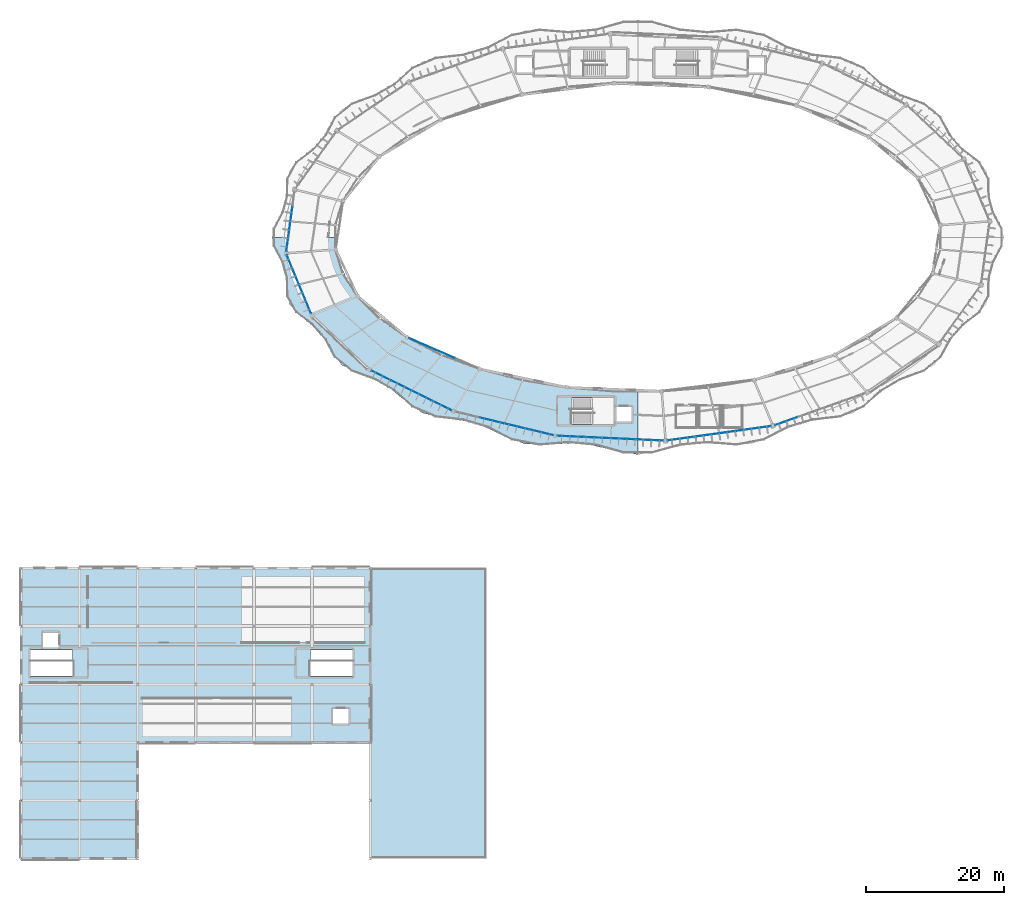
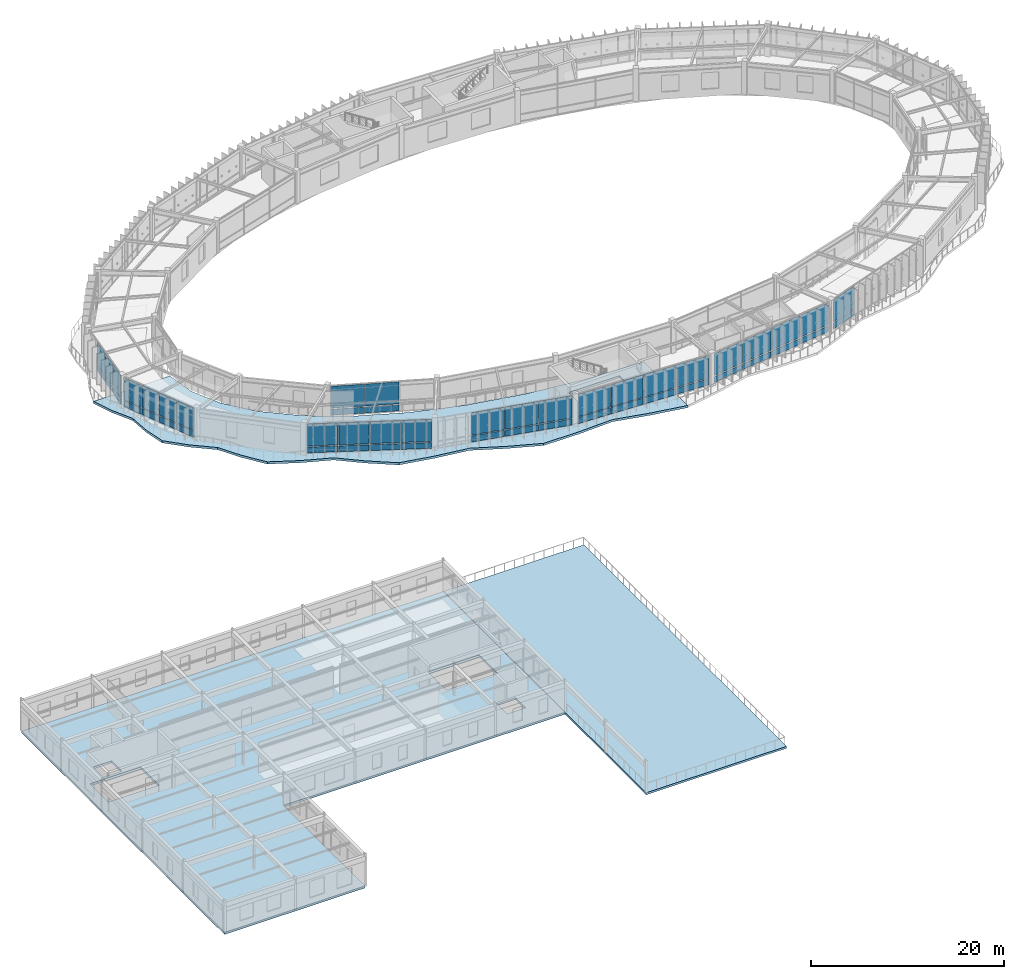
# One storey, part 62 of 83: 50 plates, 3 slabs, 8 elements without a shape of their own.
"""IFC4 building model written with IfcOpenShell, lengths in metres."""

from ifc_helpers import new_model, si_unit, direction, frame, origin, origin_2d, place, context, subcontext, project, spatial, polyline, rectangle, outline, extrude, material, layer, layer_set, type_object, element, aggregate, save


model = new_model("IFC4")

# Units and contexts
model_context = context("Model", 3, precision=1e-05, world=origin(), true_north=direction((0.0, 1.0)))
body_context = subcontext(model_context, "Body", "Model", "MODEL_VIEW")
ifc_project = project(units=[si_unit("LENGTHUNIT", "METRE"), si_unit("AREAUNIT", "SQUARE_METRE"), si_unit("VOLUMEUNIT", "CUBIC_METRE"), si_unit("PLANEANGLEUNIT", "RADIAN"), si_unit("MASSUNIT", "GRAM", prefix="KILO"), si_unit("THERMODYNAMICTEMPERATUREUNIT", "KELVIN"), si_unit("POWERUNIT", "WATT")], contexts=[model_context])

# Site, building, storey
site_placement = place(None, origin())
site = spatial("IfcSite", under=ifc_project, at=site_placement, CompositionType="ELEMENT")
building_placement = place(site_placement, origin())
building = spatial("IfcBuilding", under=site, at=building_placement, Name="Darbajah Civic Hall", CompositionType="ELEMENT")
storey_placement = place(building_placement, frame((0.0, 0.0, 18.0)))
storey = spatial("IfcBuildingStorey", under=building, at=storey_placement, Name="L04", CompositionType="ELEMENT", Elevation=18.0)

# Curtain wall, plates
ifc_material_1 = material(Name="Anodised Bronze Aluminium and Low-E Glazing", Category="aluminium")
curtain_wall_type_1 = type_object("IfcCurtainWallType", Name="Unitised Curtain Wall CW-61 15300x3900", PredefinedType="USERDEFINED", material=ifc_material_1)
curtain_wall_1_placement = place(storey_placement, origin())
curtain_wall_1 = element("IfcCurtainWall", 1, at=curtain_wall_1_placement, inside=storey, type_object=curtain_wall_type_1, Name="L04 unitised curtain wall CW-V1O-L04-14", ObjectType="UNITISED CURTAIN WALL", PredefinedType="USERDEFINED")
ifc_material_2 = material(Name="Low-E Solar Control Double Glazing", Category="glass")
ifc_layer_1 = layer(ifc_material_2, 0.02392578125, Name="Low-E Solar Control Double Glazing")
ifc_layer_set_1 = layer_set([ifc_layer_1], Name="Low-E Solar Control Double Glazing")
plate_type_1 = type_object("IfcPlateType", Name="Solar Double Glazing 24mm", PredefinedType="CURTAIN_PANEL", material=ifc_layer_set_1)
plate_1_placement = place(storey_placement, frame((79.408935546875, 61.014404296875, 0.10009765625), z_axis=(0.0, 0.0, 1.0), x_axis=(0.998962637241, -0.045537340693, 0.0)))
plate_1 = element("IfcPlate", 2, at=plate_1_placement, type_object=plate_type_1, Name="CW-V1O-L04-14 glazed panel 1.1", PredefinedType="CURTAIN_PANEL", context=body_context, shape_type="SweptSolid", body=[
    extrude(rectangle(XDim=3.764892578125, YDim=0.02392578125, at=origin_2d()), origin(), (0.0, 0.0, 1.0), 0.800048828125),
])
plate_2_placement = place(storey_placement, frame((79.408935546875, 61.014404296875, 1.0), z_axis=(0.0, 0.0, 1.0), x_axis=(0.998962637241, -0.045537340693, 0.0)))
plate_2 = element("IfcPlate", 3, at=plate_2_placement, type_object=plate_type_1, Name="CW-V1O-L04-14 glazed panel 1.2", PredefinedType="CURTAIN_PANEL", context=body_context, shape_type="SweptSolid", body=[
    extrude(rectangle(XDim=3.764892578125, YDim=0.02392578125, at=origin_2d()), origin(), (0.0, 0.0, 1.0), 2.820068359375),
])
plate_3_placement = place(storey_placement, frame((83.23486328125, 60.840087890625, 0.10009765625), z_axis=(0.0, 0.0, 1.0), x_axis=(0.998962637241, -0.045537340693, 0.0)))
plate_3 = element("IfcPlate", 4, at=plate_3_placement, type_object=plate_type_1, Name="CW-V1O-L04-14 glazed panel 2.1", PredefinedType="CURTAIN_PANEL", context=body_context, shape_type="SweptSolid", body=[
    extrude(rectangle(XDim=3.764892578125, YDim=0.02392578125, at=origin_2d()), origin(), (0.0, 0.0, 1.0), 0.800048828125),
])
plate_4_placement = place(storey_placement, frame((83.23486328125, 60.840087890625, 1.0), z_axis=(0.0, 0.0, 1.0), x_axis=(0.998962637241, -0.045537340693, 0.0)))
plate_4 = element("IfcPlate", 5, at=plate_4_placement, type_object=plate_type_1, Name="CW-V1O-L04-14 glazed panel 2.2", PredefinedType="CURTAIN_PANEL", context=body_context, shape_type="SweptSolid", body=[
    extrude(rectangle(XDim=3.764892578125, YDim=0.02392578125, at=origin_2d()), origin(), (0.0, 0.0, 1.0), 2.820068359375),
])
plate_5_placement = place(storey_placement, frame((87.060791015625, 60.666015625, 0.10009765625), z_axis=(0.0, 0.0, 1.0), x_axis=(0.998962637241, -0.045537340693, 0.0)))
plate_5 = element("IfcPlate", 6, at=plate_5_placement, type_object=plate_type_1, Name="CW-V1O-L04-14 glazed panel 3.1", PredefinedType="CURTAIN_PANEL", context=body_context, shape_type="SweptSolid", body=[
    extrude(rectangle(XDim=3.764892578125, YDim=0.02392578125, at=origin_2d()), origin(), (0.0, 0.0, 1.0), 0.800048828125),
])
plate_6_placement = place(storey_placement, frame((87.060791015625, 60.666015625, 1.0), z_axis=(0.0, 0.0, 1.0), x_axis=(0.998962637241, -0.045537340693, 0.0)))
plate_6 = element("IfcPlate", 7, at=plate_6_placement, type_object=plate_type_1, Name="CW-V1O-L04-14 glazed panel 3.2", PredefinedType="CURTAIN_PANEL", context=body_context, shape_type="SweptSolid", body=[
    extrude(rectangle(XDim=3.764892578125, YDim=0.02392578125, at=origin_2d()), origin(), (0.0, 0.0, 1.0), 2.820068359375),
])
plate_7_placement = place(storey_placement, frame((90.88671875, 60.49169921875, 0.10009765625), z_axis=(0.0, 0.0, 1.0), x_axis=(0.998962637241, -0.045537340693, 0.0)))
plate_7 = element("IfcPlate", 8, at=plate_7_placement, type_object=plate_type_1, Name="CW-V1O-L04-14 glazed panel 4.1", PredefinedType="CURTAIN_PANEL", context=body_context, shape_type="SweptSolid", body=[
    extrude(rectangle(XDim=3.764892578125, YDim=0.02392578125, at=origin_2d()), origin(), (0.0, 0.0, 1.0), 0.800048828125),
])
plate_8_placement = place(storey_placement, frame((90.88671875, 60.49169921875, 1.0), z_axis=(0.0, 0.0, 1.0), x_axis=(0.998962637241, -0.045537340693, 0.0)))
plate_8 = element("IfcPlate", 9, at=plate_8_placement, type_object=plate_type_1, Name="CW-V1O-L04-14 glazed panel 4.2", PredefinedType="CURTAIN_PANEL", context=body_context, shape_type="SweptSolid", body=[
    extrude(rectangle(XDim=3.764892578125, YDim=0.02392578125, at=origin_2d()), origin(), (0.0, 0.0, 1.0), 2.820068359375),
])
aggregate(curtain_wall_1, [plate_1, plate_2, plate_3, plate_4, plate_5, plate_6, plate_7, plate_8])

curtain_wall_type_2 = type_object("IfcCurtainWallType", Name="Unitised Curtain Wall CW-59 9100x3900", PredefinedType="USERDEFINED", material=ifc_material_1)
curtain_wall_2_placement = place(storey_placement, origin())
curtain_wall_2 = element("IfcCurtainWall", 10, at=curtain_wall_2_placement, inside=storey, type_object=curtain_wall_type_2, Name="L04 unitised curtain wall CW-V1O-L04-10", ObjectType="UNITISED CURTAIN WALL", PredefinedType="USERDEFINED")
ifc_layer_2 = layer(ifc_material_2, 0.028076171875, Name="Low-E Solar Control Double Glazing")
ifc_layer_set_2 = layer_set([ifc_layer_2], Name="Low-E Solar Control Double Glazing")
plate_type_2 = type_object("IfcPlateType", Name="Solar Double Glazing 28mm", PredefinedType="CURTAIN_PANEL", material=ifc_layer_set_2)
plate_9_placement = place(storey_placement, frame((38.809814453125, 86.154541015625, 0.119873046875), z_axis=(0.0, 0.0, 1.0), x_axis=(0.383328328644, -0.923612143954, 0.0)))
plate_9 = element("IfcPlate", 11, at=plate_9_placement, type_object=plate_type_2, Name="CW-V1O-L04-10 glazed panel 1.1", PredefinedType="CURTAIN_PANEL", context=body_context, shape_type="SweptSolid", body=[
    extrude(rectangle(XDim=2.208251953125, YDim=0.028076171875, at=origin_2d()), origin(), (0.0, 0.0, 1.0), 0.77001953125),
])
plate_10_placement = place(storey_placement, frame((38.809814453125, 86.154541015625, 1.010009765625), z_axis=(0.0, 0.0, 1.0), x_axis=(0.383328328644, -0.923612143954, 0.0)))
plate_10 = element("IfcPlate", 12, at=plate_10_placement, type_object=plate_type_2, Name="CW-V1O-L04-10 glazed panel 1.2", PredefinedType="CURTAIN_PANEL", context=body_context, shape_type="SweptSolid", body=[
    extrude(rectangle(XDim=2.208251953125, YDim=0.028076171875, at=origin_2d()), origin(), (0.0, 0.0, 1.0), 2.7900390625),
])
plate_11_placement = place(storey_placement, frame((39.68310546875, 84.05029296875, 0.119873046875), z_axis=(0.0, 0.0, 1.0), x_axis=(0.383328328644, -0.923612143954, 0.0)))
plate_11 = element("IfcPlate", 13, at=plate_11_placement, type_object=plate_type_2, Name="CW-V1O-L04-10 glazed panel 2.1", PredefinedType="CURTAIN_PANEL", context=body_context, shape_type="SweptSolid", body=[
    extrude(rectangle(XDim=2.208251953125, YDim=0.028076171875, at=origin_2d()), origin(), (0.0, 0.0, 1.0), 0.77001953125),
])
plate_12_placement = place(storey_placement, frame((39.68310546875, 84.05029296875, 1.010009765625), z_axis=(0.0, 0.0, 1.0), x_axis=(0.383328328644, -0.923612143954, 0.0)))
plate_12 = element("IfcPlate", 14, at=plate_12_placement, type_object=plate_type_2, Name="CW-V1O-L04-10 glazed panel 2.2", PredefinedType="CURTAIN_PANEL", context=body_context, shape_type="SweptSolid", body=[
    extrude(rectangle(XDim=2.208251953125, YDim=0.028076171875, at=origin_2d()), origin(), (0.0, 0.0, 1.0), 2.7900390625),
])
plate_13_placement = place(storey_placement, frame((40.556396484375, 81.946044921875, 0.119873046875), z_axis=(0.0, 0.0, 1.0), x_axis=(0.383328328644, -0.923612143954, 0.0)))
plate_13 = element("IfcPlate", 15, at=plate_13_placement, type_object=plate_type_2, Name="CW-V1O-L04-10 glazed panel 3.1", PredefinedType="CURTAIN_PANEL", context=body_context, shape_type="SweptSolid", body=[
    extrude(rectangle(XDim=2.208251953125, YDim=0.028076171875, at=origin_2d()), origin(), (0.0, 0.0, 1.0), 0.77001953125),
])
plate_14_placement = place(storey_placement, frame((40.556396484375, 81.946044921875, 1.010009765625), z_axis=(0.0, 0.0, 1.0), x_axis=(0.383328328644, -0.923612143954, 0.0)))
plate_14 = element("IfcPlate", 16, at=plate_14_placement, type_object=plate_type_2, Name="CW-V1O-L04-10 glazed panel 3.2", PredefinedType="CURTAIN_PANEL", context=body_context, shape_type="SweptSolid", body=[
    extrude(rectangle(XDim=2.208251953125, YDim=0.028076171875, at=origin_2d()), origin(), (0.0, 0.0, 1.0), 2.7900390625),
])
plate_15_placement = place(storey_placement, frame((41.4296875, 79.841796875, 0.119873046875), z_axis=(0.0, 0.0, 1.0), x_axis=(0.383328328644, -0.923612143954, 0.0)))
plate_15 = element("IfcPlate", 17, at=plate_15_placement, type_object=plate_type_2, Name="CW-V1O-L04-10 glazed panel 4.1", PredefinedType="CURTAIN_PANEL", context=body_context, shape_type="SweptSolid", body=[
    extrude(rectangle(XDim=2.208251953125, YDim=0.028076171875, at=origin_2d()), origin(), (0.0, 0.0, 1.0), 0.77001953125),
])
plate_16_placement = place(storey_placement, frame((41.4296875, 79.841796875, 1.010009765625), z_axis=(0.0, 0.0, 1.0), x_axis=(0.383328328644, -0.923612143954, 0.0)))
plate_16 = element("IfcPlate", 18, at=plate_16_placement, type_object=plate_type_2, Name="CW-V1O-L04-10 glazed panel 4.2", PredefinedType="CURTAIN_PANEL", context=body_context, shape_type="SweptSolid", body=[
    extrude(rectangle(XDim=2.208251953125, YDim=0.028076171875, at=origin_2d()), origin(), (0.0, 0.0, 1.0), 2.7900390625),
])
aggregate(curtain_wall_2, [plate_9, plate_10, plate_11, plate_12, plate_13, plate_14, plate_15, plate_16])

curtain_wall_type_3 = type_object("IfcCurtainWallType", Name="Unitised Curtain Wall CW-39 10800x3900", PredefinedType="USERDEFINED", material=ifc_material_1)
curtain_wall_3_placement = place(storey_placement, origin())
curtain_wall_3 = element("IfcCurtainWall", 19, at=curtain_wall_3_placement, inside=storey, type_object=curtain_wall_type_3, Name="L04 unitised curtain wall CW-V1I-L04-12", ObjectType="UNITISED CURTAIN WALL", PredefinedType="USERDEFINED")
plate_17_placement = place(storey_placement, frame((57.7001953125, 74.48828125, 0.119873046875), z_axis=(0.0, 0.0, 1.0), x_axis=(0.917060074385, -0.398749068925, 0.0)))
plate_17 = element("IfcPlate", 20, at=plate_17_placement, type_object=plate_type_2, Name="CW-V1I-L04-12 glazed panel 1.1", PredefinedType="CURTAIN_PANEL", context=body_context, shape_type="SweptSolid", body=[
    extrude(rectangle(XDim=3.532958984375, YDim=0.028076171875, at=origin_2d()), origin(), (0.0, 0.0, 1.0), 0.77001953125),
])
plate_18_placement = place(storey_placement, frame((57.7001953125, 74.48828125, 1.010009765625), z_axis=(0.0, 0.0, 1.0), x_axis=(0.917060074385, -0.398749068925, 0.0)))
plate_18 = element("IfcPlate", 21, at=plate_18_placement, type_object=plate_type_2, Name="CW-V1I-L04-12 glazed panel 1.2", PredefinedType="CURTAIN_PANEL", context=body_context, shape_type="SweptSolid", body=[
    extrude(rectangle(XDim=3.532958984375, YDim=0.028076171875, at=origin_2d()), origin(), (0.0, 0.0, 1.0), 2.7900390625),
])
plate_19_placement = place(storey_placement, frame((61.00439453125, 73.0517578125, 0.119873046875), z_axis=(0.0, 0.0, 1.0), x_axis=(0.917060074385, -0.398749068925, 0.0)))
plate_19 = element("IfcPlate", 22, at=plate_19_placement, type_object=plate_type_2, Name="CW-V1I-L04-12 glazed panel 2.1", PredefinedType="CURTAIN_PANEL", context=body_context, shape_type="SweptSolid", body=[
    extrude(rectangle(XDim=3.532958984375, YDim=0.028076171875, at=origin_2d()), origin(), (0.0, 0.0, 1.0), 0.77001953125),
])
plate_20_placement = place(storey_placement, frame((61.00439453125, 73.0517578125, 1.010009765625), z_axis=(0.0, 0.0, 1.0), x_axis=(0.917060074385, -0.398749068925, 0.0)))
plate_20 = element("IfcPlate", 23, at=plate_20_placement, type_object=plate_type_2, Name="CW-V1I-L04-12 glazed panel 2.2", PredefinedType="CURTAIN_PANEL", context=body_context, shape_type="SweptSolid", body=[
    extrude(rectangle(XDim=3.532958984375, YDim=0.028076171875, at=origin_2d()), origin(), (0.0, 0.0, 1.0), 2.7900390625),
])
aggregate(curtain_wall_3, [plate_17, plate_18, plate_19, plate_20])

curtain_wall_type_4 = type_object("IfcCurtainWallType", Name="Unitised Curtain Wall CW-71 14600x3900", PredefinedType="USERDEFINED", material=ifc_material_1)
curtain_wall_4_placement = place(storey_placement, origin())
curtain_wall_4 = element("IfcCurtainWall", 24, at=curtain_wall_4_placement, inside=storey, type_object=curtain_wall_type_4, Name="L04 unitised curtain wall CW-V1O-L04-13", ObjectType="UNITISED CURTAIN WALL", PredefinedType="USERDEFINED")
plate_21_placement = place(storey_placement, frame((68.05419921875, 63.304931640625, 0.119873046875), z_axis=(0.0, 0.0, 1.0), x_axis=(0.972492018808, -0.232936200179, 0.0)))
plate_21 = element("IfcPlate", 25, at=plate_21_placement, type_object=plate_type_2, Name="CW-V1O-L04-13 glazed panel 2.1", PredefinedType="CURTAIN_PANEL", context=body_context, shape_type="SweptSolid", body=[
    extrude(rectangle(XDim=3.568603515625, YDim=0.028076171875, at=origin_2d()), origin(), (0.0, 0.0, 1.0), 0.77001953125),
])
plate_22_placement = place(storey_placement, frame((68.05419921875, 63.304931640625, 1.010009765625), z_axis=(0.0, 0.0, 1.0), x_axis=(0.972492018808, -0.232936200179, 0.0)))
plate_22 = element("IfcPlate", 26, at=plate_22_placement, type_object=plate_type_2, Name="CW-V1O-L04-13 glazed panel 2.2", PredefinedType="CURTAIN_PANEL", context=body_context, shape_type="SweptSolid", body=[
    extrude(rectangle(XDim=3.568603515625, YDim=0.028076171875, at=origin_2d()), origin(), (0.0, 0.0, 1.0), 2.7900390625),
])
plate_23_placement = place(storey_placement, frame((71.5927734375, 62.457275390625, 0.119873046875), z_axis=(0.0, 0.0, 1.0), x_axis=(0.972492018808, -0.232936200179, 0.0)))
plate_23 = element("IfcPlate", 27, at=plate_23_placement, type_object=plate_type_2, Name="CW-V1O-L04-13 glazed panel 3.1", PredefinedType="CURTAIN_PANEL", context=body_context, shape_type="SweptSolid", body=[
    extrude(rectangle(XDim=3.568603515625, YDim=0.028076171875, at=origin_2d()), origin(), (0.0, 0.0, 1.0), 0.77001953125),
])
plate_24_placement = place(storey_placement, frame((71.5927734375, 62.457275390625, 1.010009765625), z_axis=(0.0, 0.0, 1.0), x_axis=(0.972492018808, -0.232936200179, 0.0)))
plate_24 = element("IfcPlate", 28, at=plate_24_placement, type_object=plate_type_2, Name="CW-V1O-L04-13 glazed panel 3.2", PredefinedType="CURTAIN_PANEL", context=body_context, shape_type="SweptSolid", body=[
    extrude(rectangle(XDim=3.568603515625, YDim=0.028076171875, at=origin_2d()), origin(), (0.0, 0.0, 1.0), 2.7900390625),
])
plate_25_placement = place(storey_placement, frame((75.13134765625, 61.609375, 0.119873046875), z_axis=(0.0, 0.0, 1.0), x_axis=(0.972492018808, -0.232936200179, 0.0)))
plate_25 = element("IfcPlate", 29, at=plate_25_placement, type_object=plate_type_2, Name="CW-V1O-L04-13 glazed panel 4.1", PredefinedType="CURTAIN_PANEL", context=body_context, shape_type="SweptSolid", body=[
    extrude(rectangle(XDim=3.568603515625, YDim=0.028076171875, at=origin_2d()), origin(), (0.0, 0.0, 1.0), 0.77001953125),
])
plate_26_placement = place(storey_placement, frame((75.13134765625, 61.609375, 1.010009765625), z_axis=(0.0, 0.0, 1.0), x_axis=(0.972492018808, -0.232936200179, 0.0)))
plate_26 = element("IfcPlate", 30, at=plate_26_placement, type_object=plate_type_2, Name="CW-V1O-L04-13 glazed panel 4.2", PredefinedType="CURTAIN_PANEL", context=body_context, shape_type="SweptSolid", body=[
    extrude(rectangle(XDim=3.568603515625, YDim=0.028076171875, at=origin_2d()), origin(), (0.0, 0.0, 1.0), 2.7900390625),
])
aggregate(curtain_wall_4, [plate_21, plate_22, plate_23, plate_24, plate_25, plate_26])

curtain_wall_type_5 = type_object("IfcCurtainWallType", Name="Unitised Curtain Wall CW-62 13800x3900", PredefinedType="USERDEFINED", material=ifc_material_1)
curtain_wall_5_placement = place(storey_placement, origin())
curtain_wall_5 = element("IfcCurtainWall", 31, at=curtain_wall_5_placement, inside=storey, type_object=curtain_wall_type_5, Name="L04 unitised curtain wall CW-V1O-L04-16", ObjectType="UNITISED CURTAIN WALL", PredefinedType="USERDEFINED")
plate_27_placement = place(storey_placement, frame((110.531005859375, 63.22412109375, 0.119873046875), z_axis=(0.0, 0.0, 1.0), x_axis=(0.94252491309, 0.334135882844, 0.0)))
plate_27 = element("IfcPlate", 32, at=plate_27_placement, type_object=plate_type_2, Name="CW-V1O-L04-16 glazed panel 1.1", PredefinedType="CURTAIN_PANEL", context=body_context, shape_type="SweptSolid", body=[
    extrude(rectangle(XDim=3.3876953125, YDim=0.028076171875, at=origin_2d()), origin(), (0.0, 0.0, 1.0), 0.77001953125),
])
plate_28_placement = place(storey_placement, frame((110.531005859375, 63.22412109375, 1.010009765625), z_axis=(0.0, 0.0, 1.0), x_axis=(0.94252491309, 0.334135882844, 0.0)))
plate_28 = element("IfcPlate", 33, at=plate_28_placement, type_object=plate_type_2, Name="CW-V1O-L04-16 glazed panel 1.2", PredefinedType="CURTAIN_PANEL", context=body_context, shape_type="SweptSolid", body=[
    extrude(rectangle(XDim=3.3876953125, YDim=0.028076171875, at=origin_2d()), origin(), (0.0, 0.0, 1.0), 2.7900390625),
])
aggregate(curtain_wall_5, [plate_27, plate_28])

curtain_wall_type_6 = type_object("IfcCurtainWallType", Name="Unitised Curtain Wall CW-69 8700x3900", PredefinedType="USERDEFINED", material=ifc_material_1)
curtain_wall_6_placement = place(storey_placement, origin())
curtain_wall_6 = element("IfcCurtainWall", 34, at=curtain_wall_6_placement, inside=storey, type_object=curtain_wall_type_6, Name="L04 unitised curtain wall CW-V1O-L04-09", ObjectType="UNITISED CURTAIN WALL", PredefinedType="USERDEFINED")
ifc_layer_3 = layer(ifc_material_2, 0.031982421875, Name="Low-E Solar Control Double Glazing")
ifc_layer_set_3 = layer_set([ifc_layer_3], Name="Low-E Solar Control Double Glazing")
plate_type_3 = type_object("IfcPlateType", Name="Solar Double Glazing 32mm", PredefinedType="CURTAIN_PANEL", material=ifc_layer_set_3)
plate_29_placement = place(storey_placement, frame((39.029296875, 93.161376953125, 0.14013671875), z_axis=(0.0, 0.0, 1.0), x_axis=(-0.134850930274, -0.990865897387, 0.0)))
plate_29 = element("IfcPlate", 35, at=plate_29_placement, type_object=plate_type_3, Name="CW-V1O-L04-09 glazed panel 2.1", PredefinedType="CURTAIN_PANEL", context=body_context, shape_type="SweptSolid", body=[
    extrude(rectangle(XDim=2.095458984375, YDim=0.031982421875, at=origin_2d()), origin(), (0.0, 0.0, 1.0), 0.739990234375),
])
plate_30_placement = place(storey_placement, frame((39.029296875, 93.161376953125, 1.02001953125), z_axis=(0.0, 0.0, 1.0), x_axis=(-0.134850930274, -0.990865897387, 0.0)))
plate_30 = element("IfcPlate", 36, at=plate_30_placement, type_object=plate_type_3, Name="CW-V1O-L04-09 glazed panel 2.2", PredefinedType="CURTAIN_PANEL", context=body_context, shape_type="SweptSolid", body=[
    extrude(rectangle(XDim=2.095458984375, YDim=0.031982421875, at=origin_2d()), origin(), (0.0, 0.0, 1.0), 2.760009765625),
])
plate_31_placement = place(storey_placement, frame((38.73681640625, 91.0107421875, 0.14013671875), z_axis=(0.0, 0.0, 1.0), x_axis=(-0.134850930274, -0.990865897387, 0.0)))
plate_31 = element("IfcPlate", 37, at=plate_31_placement, type_object=plate_type_3, Name="CW-V1O-L04-09 glazed panel 3.1", PredefinedType="CURTAIN_PANEL", context=body_context, shape_type="SweptSolid", body=[
    extrude(rectangle(XDim=2.095458984375, YDim=0.031982421875, at=origin_2d()), origin(), (0.0, 0.0, 1.0), 0.739990234375),
])
plate_32_placement = place(storey_placement, frame((38.73681640625, 91.0107421875, 1.02001953125), z_axis=(0.0, 0.0, 1.0), x_axis=(-0.134850930274, -0.990865897387, 0.0)))
plate_32 = element("IfcPlate", 38, at=plate_32_placement, type_object=plate_type_3, Name="CW-V1O-L04-09 glazed panel 3.2", PredefinedType="CURTAIN_PANEL", context=body_context, shape_type="SweptSolid", body=[
    extrude(rectangle(XDim=2.095458984375, YDim=0.031982421875, at=origin_2d()), origin(), (0.0, 0.0, 1.0), 2.760009765625),
])
plate_33_placement = place(storey_placement, frame((38.444091796875, 88.860107421875, 0.14013671875), z_axis=(0.0, 0.0, 1.0), x_axis=(-0.134850930274, -0.990865897387, 0.0)))
plate_33 = element("IfcPlate", 39, at=plate_33_placement, type_object=plate_type_3, Name="CW-V1O-L04-09 glazed panel 4.1", PredefinedType="CURTAIN_PANEL", context=body_context, shape_type="SweptSolid", body=[
    extrude(rectangle(XDim=2.095458984375, YDim=0.031982421875, at=origin_2d()), origin(), (0.0, 0.0, 1.0), 0.739990234375),
])
plate_34_placement = place(storey_placement, frame((38.444091796875, 88.860107421875, 1.02001953125), z_axis=(0.0, 0.0, 1.0), x_axis=(-0.134850930274, -0.990865897387, 0.0)))
plate_34 = element("IfcPlate", 40, at=plate_34_placement, type_object=plate_type_3, Name="CW-V1O-L04-09 glazed panel 4.2", PredefinedType="CURTAIN_PANEL", context=body_context, shape_type="SweptSolid", body=[
    extrude(rectangle(XDim=2.095458984375, YDim=0.031982421875, at=origin_2d()), origin(), (0.0, 0.0, 1.0), 2.760009765625),
])
aggregate(curtain_wall_6, [plate_29, plate_30, plate_31, plate_32, plate_33, plate_34])

curtain_wall_type_7 = type_object("IfcCurtainWallType", Name="Unitised Curtain Wall CW-60 12900x3900", PredefinedType="USERDEFINED", material=ifc_material_1)
curtain_wall_7_placement = place(storey_placement, origin())
curtain_wall_7 = element("IfcCurtainWall", 41, at=curtain_wall_7_placement, inside=storey, type_object=curtain_wall_type_7, Name="L04 unitised curtain wall CW-V1O-L04-12", ObjectType="UNITISED CURTAIN WALL", PredefinedType="USERDEFINED")
plate_35_placement = place(storey_placement, frame((52.0390625, 69.791748046875, 0.14013671875), z_axis=(0.0, 0.0, 1.0), x_axis=(0.89656374724, -0.442914717678, 0.0)))
plate_35 = element("IfcPlate", 42, at=plate_35_placement, type_object=plate_type_3, Name="CW-V1O-L04-12 glazed panel 1.1", PredefinedType="CURTAIN_PANEL", context=body_context, shape_type="SweptSolid", body=[
    extrude(rectangle(XDim=3.1572265625, YDim=0.031982421875, at=origin_2d()), origin(), (0.0, 0.0, 1.0), 0.739990234375),
])
plate_36_placement = place(storey_placement, frame((52.0390625, 69.791748046875, 1.02001953125), z_axis=(0.0, 0.0, 1.0), x_axis=(0.89656374724, -0.442914717678, 0.0)))
plate_36 = element("IfcPlate", 43, at=plate_36_placement, type_object=plate_type_3, Name="CW-V1O-L04-12 glazed panel 1.2", PredefinedType="CURTAIN_PANEL", context=body_context, shape_type="SweptSolid", body=[
    extrude(rectangle(XDim=3.1572265625, YDim=0.031982421875, at=origin_2d()), origin(), (0.0, 0.0, 1.0), 2.760009765625),
])
plate_37_placement = place(storey_placement, frame((54.93701171875, 68.360107421875, 0.14013671875), z_axis=(0.0, 0.0, 1.0), x_axis=(0.89656374724, -0.442914717678, 0.0)))
plate_37 = element("IfcPlate", 44, at=plate_37_placement, type_object=plate_type_3, Name="CW-V1O-L04-12 glazed panel 2.1", PredefinedType="CURTAIN_PANEL", context=body_context, shape_type="SweptSolid", body=[
    extrude(rectangle(XDim=3.1572265625, YDim=0.031982421875, at=origin_2d()), origin(), (0.0, 0.0, 1.0), 0.739990234375),
])
plate_38_placement = place(storey_placement, frame((54.93701171875, 68.360107421875, 1.02001953125), z_axis=(0.0, 0.0, 1.0), x_axis=(0.89656374724, -0.442914717678, 0.0)))
plate_38 = element("IfcPlate", 45, at=plate_38_placement, type_object=plate_type_3, Name="CW-V1O-L04-12 glazed panel 2.2", PredefinedType="CURTAIN_PANEL", context=body_context, shape_type="SweptSolid", body=[
    extrude(rectangle(XDim=3.1572265625, YDim=0.031982421875, at=origin_2d()), origin(), (0.0, 0.0, 1.0), 2.760009765625),
])
plate_39_placement = place(storey_placement, frame((57.8349609375, 66.928466796875, 0.14013671875), z_axis=(0.0, 0.0, 1.0), x_axis=(0.89656374724, -0.442914717678, 0.0)))
plate_39 = element("IfcPlate", 46, at=plate_39_placement, type_object=plate_type_3, Name="CW-V1O-L04-12 glazed panel 3.1", PredefinedType="CURTAIN_PANEL", context=body_context, shape_type="SweptSolid", body=[
    extrude(rectangle(XDim=3.1572265625, YDim=0.031982421875, at=origin_2d()), origin(), (0.0, 0.0, 1.0), 0.739990234375),
])
plate_40_placement = place(storey_placement, frame((57.8349609375, 66.928466796875, 1.02001953125), z_axis=(0.0, 0.0, 1.0), x_axis=(0.89656374724, -0.442914717678, 0.0)))
plate_40 = element("IfcPlate", 47, at=plate_40_placement, type_object=plate_type_3, Name="CW-V1O-L04-12 glazed panel 3.2", PredefinedType="CURTAIN_PANEL", context=body_context, shape_type="SweptSolid", body=[
    extrude(rectangle(XDim=3.1572265625, YDim=0.031982421875, at=origin_2d()), origin(), (0.0, 0.0, 1.0), 2.760009765625),
])
plate_41_placement = place(storey_placement, frame((60.73291015625, 65.49658203125, 0.14013671875), z_axis=(0.0, 0.0, 1.0), x_axis=(0.89656374724, -0.442914717678, 0.0)))
plate_41 = element("IfcPlate", 48, at=plate_41_placement, type_object=plate_type_3, Name="CW-V1O-L04-12 glazed panel 4.1", PredefinedType="CURTAIN_PANEL", context=body_context, shape_type="SweptSolid", body=[
    extrude(rectangle(XDim=3.1572265625, YDim=0.031982421875, at=origin_2d()), origin(), (0.0, 0.0, 1.0), 0.739990234375),
])
plate_42_placement = place(storey_placement, frame((60.73291015625, 65.49658203125, 1.02001953125), z_axis=(0.0, 0.0, 1.0), x_axis=(0.89656374724, -0.442914717678, 0.0)))
plate_42 = element("IfcPlate", 49, at=plate_42_placement, type_object=plate_type_3, Name="CW-V1O-L04-12 glazed panel 4.2", PredefinedType="CURTAIN_PANEL", context=body_context, shape_type="SweptSolid", body=[
    extrude(rectangle(XDim=3.1572265625, YDim=0.031982421875, at=origin_2d()), origin(), (0.0, 0.0, 1.0), 2.760009765625),
])
aggregate(curtain_wall_7, [plate_35, plate_36, plate_37, plate_38, plate_39, plate_40, plate_41, plate_42])

curtain_wall_type_8 = type_object("IfcCurtainWallType", Name="Unitised Curtain Wall CW-72 15100x3900", PredefinedType="USERDEFINED", material=ifc_material_1)
curtain_wall_8_placement = place(storey_placement, origin())
curtain_wall_8 = element("IfcCurtainWall", 50, at=curtain_wall_8_placement, inside=storey, type_object=curtain_wall_type_8, Name="L04 unitised curtain wall CW-V1O-L04-15", ObjectType="UNITISED CURTAIN WALL", PredefinedType="USERDEFINED")
plate_43_placement = place(storey_placement, frame((95.26513671875, 60.69140625, 0.14013671875), z_axis=(0.0, 0.0, 1.0), x_axis=(0.990485459553, 0.137617420457, 0.0)))
plate_43 = element("IfcPlate", 51, at=plate_43_placement, type_object=plate_type_3, Name="CW-V1O-L04-15 glazed panel 1.1", PredefinedType="CURTAIN_PANEL", context=body_context, shape_type="SweptSolid", body=[
    extrude(rectangle(XDim=3.690185546875, YDim=0.031982421875, at=origin_2d()), origin(), (0.0, 0.0, 1.0), 0.739990234375),
])
plate_44_placement = place(storey_placement, frame((95.26513671875, 60.69140625, 1.02001953125), z_axis=(0.0, 0.0, 1.0), x_axis=(0.990485459553, 0.137617420457, 0.0)))
plate_44 = element("IfcPlate", 52, at=plate_44_placement, type_object=plate_type_3, Name="CW-V1O-L04-15 glazed panel 1.2", PredefinedType="CURTAIN_PANEL", context=body_context, shape_type="SweptSolid", body=[
    extrude(rectangle(XDim=3.690185546875, YDim=0.031982421875, at=origin_2d()), origin(), (0.0, 0.0, 1.0), 2.760009765625),
])
plate_45_placement = place(storey_placement, frame((98.994384765625, 61.209228515625, 0.14013671875), z_axis=(0.0, 0.0, 1.0), x_axis=(0.990485459553, 0.137617420457, 0.0)))
plate_45 = element("IfcPlate", 53, at=plate_45_placement, type_object=plate_type_3, Name="CW-V1O-L04-15 glazed panel 2.1", PredefinedType="CURTAIN_PANEL", context=body_context, shape_type="SweptSolid", body=[
    extrude(rectangle(XDim=3.690185546875, YDim=0.031982421875, at=origin_2d()), origin(), (0.0, 0.0, 1.0), 0.739990234375),
])
plate_46_placement = place(storey_placement, frame((98.994384765625, 61.209228515625, 1.02001953125), z_axis=(0.0, 0.0, 1.0), x_axis=(0.990485459553, 0.137617420457, 0.0)))
plate_46 = element("IfcPlate", 54, at=plate_46_placement, type_object=plate_type_3, Name="CW-V1O-L04-15 glazed panel 2.2", PredefinedType="CURTAIN_PANEL", context=body_context, shape_type="SweptSolid", body=[
    extrude(rectangle(XDim=3.690185546875, YDim=0.031982421875, at=origin_2d()), origin(), (0.0, 0.0, 1.0), 2.760009765625),
])
plate_47_placement = place(storey_placement, frame((102.723876953125, 61.727294921875, 0.14013671875), z_axis=(0.0, 0.0, 1.0), x_axis=(0.990485459553, 0.137617420457, 0.0)))
plate_47 = element("IfcPlate", 55, at=plate_47_placement, type_object=plate_type_3, Name="CW-V1O-L04-15 glazed panel 3.1", PredefinedType="CURTAIN_PANEL", context=body_context, shape_type="SweptSolid", body=[
    extrude(rectangle(XDim=3.690185546875, YDim=0.031982421875, at=origin_2d()), origin(), (0.0, 0.0, 1.0), 0.739990234375),
])
plate_48_placement = place(storey_placement, frame((102.723876953125, 61.727294921875, 1.02001953125), z_axis=(0.0, 0.0, 1.0), x_axis=(0.990485459553, 0.137617420457, 0.0)))
plate_48 = element("IfcPlate", 56, at=plate_48_placement, type_object=plate_type_3, Name="CW-V1O-L04-15 glazed panel 3.2", PredefinedType="CURTAIN_PANEL", context=body_context, shape_type="SweptSolid", body=[
    extrude(rectangle(XDim=3.690185546875, YDim=0.031982421875, at=origin_2d()), origin(), (0.0, 0.0, 1.0), 2.760009765625),
])
plate_49_placement = place(storey_placement, frame((106.453125, 62.2451171875, 0.14013671875), z_axis=(0.0, 0.0, 1.0), x_axis=(0.990485459553, 0.137617420457, 0.0)))
plate_49 = element("IfcPlate", 57, at=plate_49_placement, type_object=plate_type_3, Name="CW-V1O-L04-15 glazed panel 4.1", PredefinedType="CURTAIN_PANEL", context=body_context, shape_type="SweptSolid", body=[
    extrude(rectangle(XDim=3.690185546875, YDim=0.031982421875, at=origin_2d()), origin(), (0.0, 0.0, 1.0), 0.739990234375),
])
plate_50_placement = place(storey_placement, frame((106.453125, 62.2451171875, 1.02001953125), z_axis=(0.0, 0.0, 1.0), x_axis=(0.990485459553, 0.137617420457, 0.0)))
plate_50 = element("IfcPlate", 58, at=plate_50_placement, type_object=plate_type_3, Name="CW-V1O-L04-15 glazed panel 4.2", PredefinedType="CURTAIN_PANEL", context=body_context, shape_type="SweptSolid", body=[
    extrude(rectangle(XDim=3.690185546875, YDim=0.031982421875, at=origin_2d()), origin(), (0.0, 0.0, 1.0), 2.760009765625),
])
aggregate(curtain_wall_8, [plate_43, plate_44, plate_45, plate_46, plate_47, plate_48, plate_49, plate_50])

# Slabs
ifc_material_3 = material(Name="Concrete C45/55", Category="concrete")
ifc_layer_4 = layer(ifc_material_3, 0.260009765625, Name="Concrete C45/55")
ifc_layer_set_4 = layer_set([ifc_layer_4], Name="Concrete C45/55")
slab_type_1 = type_object("IfcSlabType", Name="Structural Floor Slab 260mm", PredefinedType="FLOOR", material=ifc_layer_set_4)
slab_1_placement = place(storey_placement, frame((0.0, 0.0, -0.260009765625)))
element("IfcSlab", 59, at=slab_1_placement, inside=storey, type_object=slab_type_1, Name="L04 Committee Cloister floor slab", PredefinedType="FLOOR", context=body_context, shape_type="SweptSolid", body=[
    extrude(outline(polyline([(0.0, 0.0), (16.800048828125, 0.0), (16.800048828125, 16.800048828125), (50.39990234375, 16.800048828125), (50.39990234375, 42.0), (0.0, 42.0), (0.0, 0.0)]), holes=[polyline([(1.340087890625, 30.179931640625), (7.419921875, 30.179931640625), (7.419921875, 26.419921875), (1.340087890625, 26.419921875), (1.340087890625, 30.179931640625)]), polyline([(3.14990234375, 32.64990234375), (5.35009765625, 32.64990234375), (5.35009765625, 30.550048828125), (3.14990234375, 30.550048828125), (3.14990234375, 32.64990234375)]), polyline([(41.780029296875, 30.179931640625), (47.860107421875, 30.179931640625), (47.860107421875, 26.419921875), (41.780029296875, 26.419921875), (41.780029296875, 30.179931640625)]), polyline([(45.050048828125, 21.64990234375), (47.25, 21.64990234375), (47.25, 19.550048828125), (45.050048828125, 19.550048828125), (45.050048828125, 21.64990234375)])]), origin(), (0.0, 0.0, 1.0), 0.260009765625),
])
ifc_layer_5 = layer(ifc_material_3, 0.280029296875, Name="Concrete C45/55")
ifc_layer_set_5 = layer_set([ifc_layer_5], Name="Concrete C45/55")
slab_type_2 = type_object("IfcSlabType", Name="Structural Floor Slab 280mm", PredefinedType="FLOOR", material=ifc_layer_set_5)
slab_2_placement = place(storey_placement, frame((0.0, 0.0, -0.280029296875)))
element("IfcSlab", 60, at=slab_2_placement, inside=storey, type_object=slab_type_2, Name="L04 Oval Administration Ring SW floor slab", PredefinedType="FLOOR", context=body_context, shape_type="SweptSolid", body=[
    extrude(outline(polyline([(36.197021484375, 89.800048828125), (37.02099609375, 87.38818359375), (38.157958984375, 85.094970703125), (38.303466796875, 82.623779296875), (38.786376953125, 80.095947265625), (40.83642578125, 78.036376953125), (43.14453125, 76.145263671875), (44.55810546875, 73.73828125), (46.300537109375, 71.341796875), (49.37646484375, 69.8359375), (52.629638671875, 68.5322265625), (55.1728515625, 66.425048828125), (58.00439453125, 64.394287109375), (61.8046875, 63.58984375), (65.6845703125, 63.001220703125), (69.108642578125, 61.39990234375), (72.752197265625, 59.93408203125), (76.90478515625, 59.9091796875), (81.031494140625, 60.09326171875), (85.001220703125, 59.15478515625), (89.10009765625, 58.39697265625), (89.10009765625, 67.52001953125), (82.251220703125, 67.794189453125), (75.5712890625, 68.610595703125), (69.224365234375, 69.948486328125), (63.36669921875, 71.775146484375), (58.142822265625, 74.045654296875), (53.68115234375, 76.7041015625), (50.091796875, 79.68505859375), (47.462646484375, 82.9150390625), (45.85888671875, 86.314697265625), (45.320068359375, 89.800048828125), (36.197021484375, 89.800048828125)]), holes=[polyline([(79.580078125, 66.580078125), (85.659912109375, 66.580078125), (85.659912109375, 62.820068359375), (79.580078125, 62.820068359375), (79.580078125, 66.580078125)]), polyline([(85.949951171875, 65.25), (88.14990234375, 65.25), (88.14990234375, 63.14990234375), (85.949951171875, 63.14990234375), (85.949951171875, 65.25)])]), origin(), (0.0, 0.0, 1.0), 0.280029296875),
])
ifc_layer_6 = layer(ifc_material_3, 0.25, Name="Concrete C45/55")
ifc_layer_set_6 = layer_set([ifc_layer_6], Name="Concrete C45/55")
slab_type_3 = type_object("IfcSlabType", Name="Walkable Terrace Slab 250mm", PredefinedType="FLOOR", material=ifc_layer_set_6)
slab_3_placement = place(storey_placement, frame((0.0, 0.0, -0.25)))
element("IfcSlab", 61, at=slab_3_placement, inside=storey, type_object=slab_type_3, Name="L04 Cloister Courtyard Garden Terrace slab", PredefinedType="FLOOR", context=body_context, shape_type="SweptSolid", body=[
    extrude(outline(polyline([(50.39990234375, 0.0), (67.199951171875, 0.0), (67.199951171875, 42.0), (50.39990234375, 42.0), (50.39990234375, 0.0)])), origin(), (0.0, 0.0, 1.0), 0.25),
])

save(model, "model.ifc")
